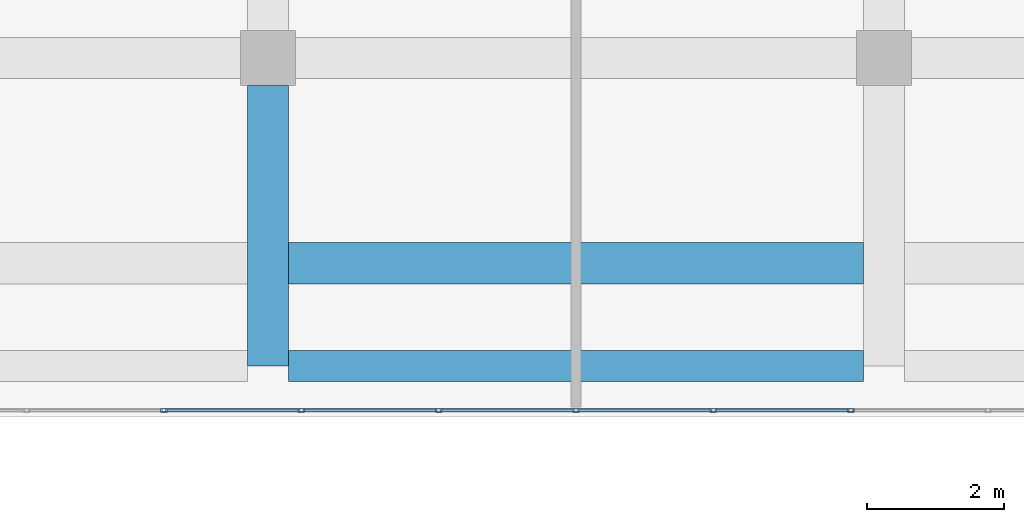
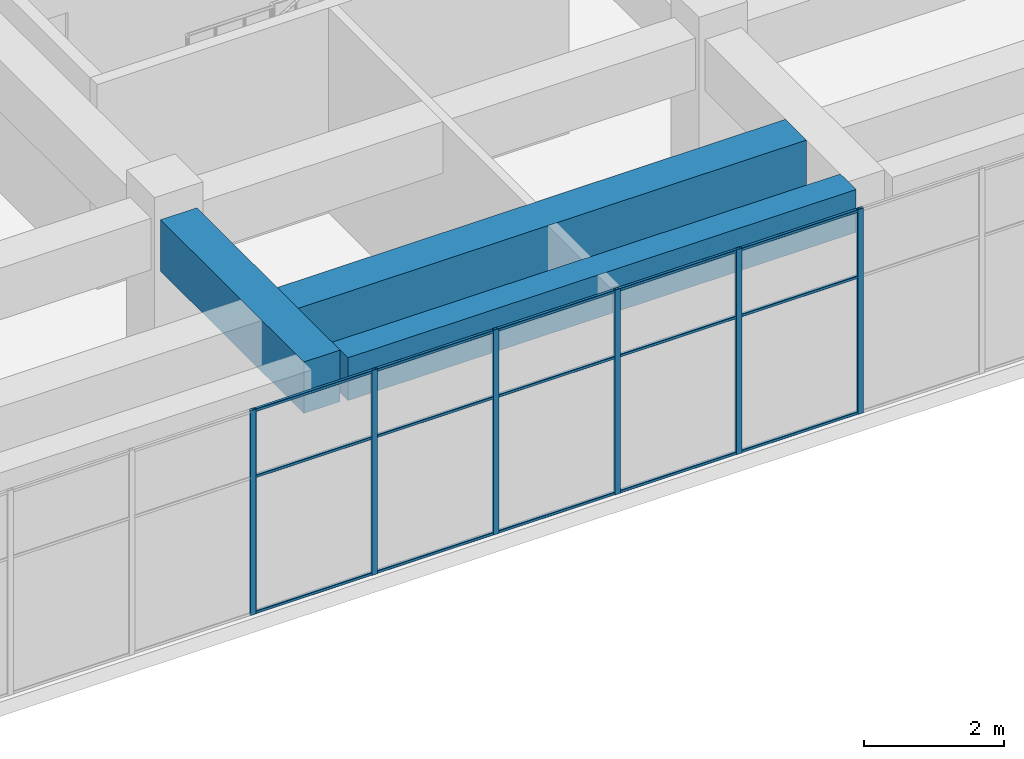
# One storey, part 27 of 72: 21 members, 3 beams, 1 element without a shape of its own.
"""IFC4 building model written with IfcOpenShell, lengths in metres."""

from ifc_helpers import new_model, si_unit, direction, frame, origin, origin_2d, place, context, subcontext, project, spatial, rectangle, hollow_rectangle, extrude, material, layer, layer_set, material_profile, profile_set, type_object, element, aggregate, save


model = new_model("IFC4")

# Units and contexts
model_context = context("Model", 3, precision=1e-05, world=origin(), true_north=direction((0.0, 1.0)))
body_context = subcontext(model_context, "Body", "Model", "MODEL_VIEW")
ifc_project = project(units=[si_unit("LENGTHUNIT", "METRE"), si_unit("AREAUNIT", "SQUARE_METRE"), si_unit("VOLUMEUNIT", "CUBIC_METRE"), si_unit("PLANEANGLEUNIT", "RADIAN"), si_unit("MASSUNIT", "GRAM", prefix="KILO")], contexts=[model_context])

# Site, building, storey
site_placement = place(None, origin())
site = spatial("IfcSite", under=ifc_project, at=site_placement, CompositionType="ELEMENT")
building_placement = place(site_placement, origin())
building = spatial("IfcBuilding", under=site, at=building_placement, Name="Tuart Plaza Theatre", CompositionType="ELEMENT")
storey_placement = place(building_placement, frame((0.0, 0.0, 13.5)))
storey = spatial("IfcBuildingStorey", under=building, at=storey_placement, Name="L03", CompositionType="ELEMENT", Elevation=13.5)

# Beams
ifc_material_1 = material(Name="Concrete N40 (40 MPa)", Category="concrete")
ifc_material_profile_1 = material_profile(ifc_material_1, rectangle(XDim=0.449951171875, YDim=0.75, at=origin_2d()), Name="BEAM 450x750 Concrete N40 (40 MPa)")
ifc_profile_set_1 = profile_set([ifc_material_profile_1], Name="Concrete N40 (40 MPa)")
beam_type_1 = type_object("IfcBeamType", Name="BEAM 450x750 Concrete N40 (40 MPa)", PredefinedType="BEAM", material=ifc_profile_set_1)
beam_1_placement = place(storey_placement, frame((132.300048828125, 51.5, 3.205078125), z_axis=(1.0, 0.0, 0.0), x_axis=(0.0, 1.0, 0.0)))
element("IfcBeam", 1, at=beam_1_placement, inside=storey, type_object=beam_type_1, Name="RB182", PredefinedType="BEAM", context=body_context, shape_type="SweptSolid", body=[
    extrude(rectangle(XDim=0.449951171875, YDim=0.75, at=origin_2d()), origin(), (0.0, 0.0, 1.0), 8.39990234375),
])
ifc_material_2 = material(Name="Concrete N40 (40 MPa)", Category="concrete")
ifc_material_profile_2 = material_profile(ifc_material_2, rectangle(XDim=0.60009765625, YDim=0.89990234375, at=origin_2d()), Name="BEAM 600x900 Concrete N40 (40 MPa)")
ifc_profile_set_2 = profile_set([ifc_material_profile_2], Name="Concrete N40 (40 MPa)")
beam_type_2 = type_object("IfcBeamType", Name="BEAM 600x900 Concrete N40 (40 MPa)", PredefinedType="BEAM", material=ifc_profile_set_2)
beam_2_placement = place(storey_placement, frame((132.0, 51.5, 3.1298828125), z_axis=(0.0, 1.0, 0.0), x_axis=(-1.0, 0.0, 0.0)))
element("IfcBeam", 2, at=beam_2_placement, inside=storey, type_object=beam_type_2, Name="RB181", PredefinedType="BEAM", context=body_context, shape_type="SweptSolid", body=[
    extrude(rectangle(XDim=0.60009765625, YDim=0.89990234375, at=origin_2d()), origin(), (0.0, 0.0, 1.0), 4.10009765625),
])
beam_3_placement = place(storey_placement, frame((132.300048828125, 53.0, 3.1298828125), z_axis=(1.0, 0.0, 0.0), x_axis=(0.0, 1.0, 0.0)))
element("IfcBeam", 3, at=beam_3_placement, inside=storey, type_object=beam_type_2, Name="RB203", PredefinedType="BEAM", context=body_context, shape_type="SweptSolid", body=[
    extrude(rectangle(XDim=0.60009765625, YDim=0.89990234375, at=origin_2d()), origin(), (0.0, 0.0, 1.0), 8.39990234375),
])

# Curtain wall, members
ifc_material_3 = material(Name="Aluminium and glass", Category="aluminium")
ifc_layer = layer(ifc_material_3, 0.10009765625)
ifc_layer_set = layer_set([ifc_layer], Name="CURTAIN WALL 2000 module")
curtain_wall_type = type_object("IfcCurtainWallType", Name="CURTAIN WALL 2000 module", PredefinedType="NOTDEFINED", material=ifc_layer_set)
curtain_wall_placement = place(storey_placement, origin())
curtain_wall = element("IfcCurtainWall", 4, at=curtain_wall_placement, inside=storey, type_object=curtain_wall_type, Name="CW68", PredefinedType="NOTDEFINED")
ifc_material_4 = material(Name="Aluminium 6063-T5", Category="aluminium")
ifc_material_profile_3 = material_profile(ifc_material_4, hollow_rectangle(XDim=0.050048828125, YDim=0.10009765625, WallThickness=0.00390625, InnerFilletRadius=0.00390625, OuterFilletRadius=0.008056640625, at=origin_2d()), Name="RHS 100x50x4")
ifc_profile_set_3 = profile_set([ifc_material_profile_3], Name="Aluminium 6063-T5")
member_type_1 = type_object("IfcMemberType", Name="MULLION RHS 100x50x4", PredefinedType="MULLION", material=ifc_profile_set_3)
member_1_placement = place(storey_placement, frame((130.478515625, 50.85009765625, 0.0), z_axis=(0.0, 0.0, 1.0), x_axis=(0.0, 1.0, 0.0)))
member_1 = element("IfcMember", 5, at=member_1_placement, type_object=member_type_1, Name="CW68 mullion 5", PredefinedType="MULLION", context=body_context, shape_type="SweptSolid", body=[
    extrude(hollow_rectangle(XDim=0.050048828125, YDim=0.10009765625, WallThickness=0.00390625, InnerFilletRadius=0.00390625, OuterFilletRadius=0.008056640625, at=origin_2d()), origin(), (0.0, 0.0, 1.0), 3.580078125),
])
member_2_placement = place(storey_placement, frame((132.485595703125, 50.85009765625, 0.0), z_axis=(0.0, 0.0, 1.0), x_axis=(0.0, 1.0, 0.0)))
member_2 = element("IfcMember", 6, at=member_2_placement, type_object=member_type_1, Name="CW68 mullion 6", PredefinedType="MULLION", context=body_context, shape_type="SweptSolid", body=[
    extrude(hollow_rectangle(XDim=0.050048828125, YDim=0.10009765625, WallThickness=0.00390625, InnerFilletRadius=0.00390625, OuterFilletRadius=0.008056640625, at=origin_2d()), origin(), (0.0, 0.0, 1.0), 3.580078125),
])
member_3_placement = place(storey_placement, frame((134.492919921875, 50.85009765625, 0.0), z_axis=(0.0, 0.0, 1.0), x_axis=(0.0, 1.0, 0.0)))
member_3 = element("IfcMember", 7, at=member_3_placement, type_object=member_type_1, Name="CW68 mullion 7", PredefinedType="MULLION", context=body_context, shape_type="SweptSolid", body=[
    extrude(hollow_rectangle(XDim=0.050048828125, YDim=0.10009765625, WallThickness=0.00390625, InnerFilletRadius=0.00390625, OuterFilletRadius=0.008056640625, at=origin_2d()), origin(), (0.0, 0.0, 1.0), 3.580078125),
])
member_4_placement = place(storey_placement, frame((136.5, 50.85009765625, 0.0), z_axis=(0.0, 0.0, 1.0), x_axis=(0.0, 1.0, 0.0)))
member_4 = element("IfcMember", 8, at=member_4_placement, type_object=member_type_1, Name="CW68 mullion 8", PredefinedType="MULLION", context=body_context, shape_type="SweptSolid", body=[
    extrude(hollow_rectangle(XDim=0.050048828125, YDim=0.10009765625, WallThickness=0.00390625, InnerFilletRadius=0.00390625, OuterFilletRadius=0.008056640625, at=origin_2d()), origin(), (0.0, 0.0, 1.0), 3.580078125),
])
member_5_placement = place(storey_placement, frame((138.507080078125, 50.85009765625, 0.0), z_axis=(0.0, 0.0, 1.0), x_axis=(0.0, 1.0, 0.0)))
member_5 = element("IfcMember", 9, at=member_5_placement, type_object=member_type_1, Name="CW68 mullion 9", PredefinedType="MULLION", context=body_context, shape_type="SweptSolid", body=[
    extrude(hollow_rectangle(XDim=0.050048828125, YDim=0.10009765625, WallThickness=0.00390625, InnerFilletRadius=0.00390625, OuterFilletRadius=0.008056640625, at=origin_2d()), origin(), (0.0, 0.0, 1.0), 3.580078125),
])
member_6_placement = place(storey_placement, frame((140.514404296875, 50.85009765625, 0.0), z_axis=(0.0, 0.0, 1.0), x_axis=(0.0, 1.0, 0.0)))
member_6 = element("IfcMember", 10, at=member_6_placement, type_object=member_type_1, Name="CW68 mullion 10", PredefinedType="MULLION", context=body_context, shape_type="SweptSolid", body=[
    extrude(hollow_rectangle(XDim=0.050048828125, YDim=0.10009765625, WallThickness=0.00390625, InnerFilletRadius=0.00390625, OuterFilletRadius=0.008056640625, at=origin_2d()), origin(), (0.0, 0.0, 1.0), 3.580078125),
])
ifc_material_5 = material(Name="Aluminium 6063-T5", Category="aluminium")
ifc_material_profile_4 = material_profile(ifc_material_5, hollow_rectangle(XDim=0.050048828125, YDim=0.050048828125, WallThickness=0.00390625, InnerFilletRadius=0.00390625, OuterFilletRadius=0.008056640625, at=origin_2d()), Name="RHS 50x50x4")
ifc_profile_set_4 = profile_set([ifc_material_profile_4], Name="Aluminium 6063-T5")
member_type_2 = type_object("IfcMemberType", Name="TRANSOM RHS 50x50x4", PredefinedType="USERDEFINED", material=ifc_profile_set_4)
member_7_placement = place(storey_placement, frame((130.503662109375, 50.85009765625, 0.02490234375), z_axis=(1.0, 0.0, 0.0), x_axis=(0.0, 1.0, 0.0)))
member_7 = element("IfcMember", 11, at=member_7_placement, type_object=member_type_2, Name="CW68 transom 5.1", ObjectType="TRANSOM", PredefinedType="USERDEFINED", context=body_context, shape_type="SweptSolid", body=[
    extrude(hollow_rectangle(XDim=0.050048828125, YDim=0.050048828125, WallThickness=0.00390625, InnerFilletRadius=0.00390625, OuterFilletRadius=0.008056640625, at=origin_2d()), origin(), (0.0, 0.0, 1.0), 1.95703125),
])
member_8_placement = place(storey_placement, frame((130.503662109375, 50.85009765625, 2.39990234375), z_axis=(1.0, 0.0, 0.0), x_axis=(0.0, 1.0, 0.0)))
member_8 = element("IfcMember", 12, at=member_8_placement, type_object=member_type_2, Name="CW68 transom 5.2", ObjectType="TRANSOM", PredefinedType="USERDEFINED", context=body_context, shape_type="SweptSolid", body=[
    extrude(hollow_rectangle(XDim=0.050048828125, YDim=0.050048828125, WallThickness=0.00390625, InnerFilletRadius=0.00390625, OuterFilletRadius=0.008056640625, at=origin_2d()), origin(), (0.0, 0.0, 1.0), 1.95703125),
])
member_9_placement = place(storey_placement, frame((130.503662109375, 50.85009765625, 3.554931640625), z_axis=(1.0, 0.0, 0.0), x_axis=(0.0, 1.0, 0.0)))
member_9 = element("IfcMember", 13, at=member_9_placement, type_object=member_type_2, Name="CW68 transom 5.3", ObjectType="TRANSOM", PredefinedType="USERDEFINED", context=body_context, shape_type="SweptSolid", body=[
    extrude(hollow_rectangle(XDim=0.050048828125, YDim=0.050048828125, WallThickness=0.00390625, InnerFilletRadius=0.00390625, OuterFilletRadius=0.008056640625, at=origin_2d()), origin(), (0.0, 0.0, 1.0), 1.95703125),
])
member_10_placement = place(storey_placement, frame((132.5107421875, 50.85009765625, 0.02490234375), z_axis=(1.0, 0.0, 0.0), x_axis=(0.0, 1.0, 0.0)))
member_10 = element("IfcMember", 14, at=member_10_placement, type_object=member_type_2, Name="CW68 transom 6.1", ObjectType="TRANSOM", PredefinedType="USERDEFINED", context=body_context, shape_type="SweptSolid", body=[
    extrude(hollow_rectangle(XDim=0.050048828125, YDim=0.050048828125, WallThickness=0.00390625, InnerFilletRadius=0.00390625, OuterFilletRadius=0.008056640625, at=origin_2d()), origin(), (0.0, 0.0, 1.0), 1.95703125),
])
member_11_placement = place(storey_placement, frame((132.5107421875, 50.85009765625, 2.39990234375), z_axis=(1.0, 0.0, 0.0), x_axis=(0.0, 1.0, 0.0)))
member_11 = element("IfcMember", 15, at=member_11_placement, type_object=member_type_2, Name="CW68 transom 6.2", ObjectType="TRANSOM", PredefinedType="USERDEFINED", context=body_context, shape_type="SweptSolid", body=[
    extrude(hollow_rectangle(XDim=0.050048828125, YDim=0.050048828125, WallThickness=0.00390625, InnerFilletRadius=0.00390625, OuterFilletRadius=0.008056640625, at=origin_2d()), origin(), (0.0, 0.0, 1.0), 1.95703125),
])
member_12_placement = place(storey_placement, frame((132.5107421875, 50.85009765625, 3.554931640625), z_axis=(1.0, 0.0, 0.0), x_axis=(0.0, 1.0, 0.0)))
member_12 = element("IfcMember", 16, at=member_12_placement, type_object=member_type_2, Name="CW68 transom 6.3", ObjectType="TRANSOM", PredefinedType="USERDEFINED", context=body_context, shape_type="SweptSolid", body=[
    extrude(hollow_rectangle(XDim=0.050048828125, YDim=0.050048828125, WallThickness=0.00390625, InnerFilletRadius=0.00390625, OuterFilletRadius=0.008056640625, at=origin_2d()), origin(), (0.0, 0.0, 1.0), 1.95703125),
])
member_13_placement = place(storey_placement, frame((134.517822265625, 50.85009765625, 0.02490234375), z_axis=(1.0, 0.0, 0.0), x_axis=(0.0, 1.0, 0.0)))
member_13 = element("IfcMember", 17, at=member_13_placement, type_object=member_type_2, Name="CW68 transom 7.1", ObjectType="TRANSOM", PredefinedType="USERDEFINED", context=body_context, shape_type="SweptSolid", body=[
    extrude(hollow_rectangle(XDim=0.050048828125, YDim=0.050048828125, WallThickness=0.00390625, InnerFilletRadius=0.00390625, OuterFilletRadius=0.008056640625, at=origin_2d()), origin(), (0.0, 0.0, 1.0), 1.957275390625),
])
member_14_placement = place(storey_placement, frame((134.517822265625, 50.85009765625, 2.39990234375), z_axis=(1.0, 0.0, 0.0), x_axis=(0.0, 1.0, 0.0)))
member_14 = element("IfcMember", 18, at=member_14_placement, type_object=member_type_2, Name="CW68 transom 7.2", ObjectType="TRANSOM", PredefinedType="USERDEFINED", context=body_context, shape_type="SweptSolid", body=[
    extrude(hollow_rectangle(XDim=0.050048828125, YDim=0.050048828125, WallThickness=0.00390625, InnerFilletRadius=0.00390625, OuterFilletRadius=0.008056640625, at=origin_2d()), origin(), (0.0, 0.0, 1.0), 1.957275390625),
])
member_15_placement = place(storey_placement, frame((134.517822265625, 50.85009765625, 3.554931640625), z_axis=(1.0, 0.0, 0.0), x_axis=(0.0, 1.0, 0.0)))
member_15 = element("IfcMember", 19, at=member_15_placement, type_object=member_type_2, Name="CW68 transom 7.3", ObjectType="TRANSOM", PredefinedType="USERDEFINED", context=body_context, shape_type="SweptSolid", body=[
    extrude(hollow_rectangle(XDim=0.050048828125, YDim=0.050048828125, WallThickness=0.00390625, InnerFilletRadius=0.00390625, OuterFilletRadius=0.008056640625, at=origin_2d()), origin(), (0.0, 0.0, 1.0), 1.957275390625),
])
member_16_placement = place(storey_placement, frame((136.52490234375, 50.85009765625, 0.02490234375), z_axis=(1.0, 0.0, 0.0), x_axis=(0.0, 1.0, 0.0)))
member_16 = element("IfcMember", 20, at=member_16_placement, type_object=member_type_2, Name="CW68 transom 8.1", ObjectType="TRANSOM", PredefinedType="USERDEFINED", context=body_context, shape_type="SweptSolid", body=[
    extrude(hollow_rectangle(XDim=0.050048828125, YDim=0.050048828125, WallThickness=0.00390625, InnerFilletRadius=0.00390625, OuterFilletRadius=0.008056640625, at=origin_2d()), origin(), (0.0, 0.0, 1.0), 1.957275390625),
])
member_17_placement = place(storey_placement, frame((136.52490234375, 50.85009765625, 2.39990234375), z_axis=(1.0, 0.0, 0.0), x_axis=(0.0, 1.0, 0.0)))
member_17 = element("IfcMember", 21, at=member_17_placement, type_object=member_type_2, Name="CW68 transom 8.2", ObjectType="TRANSOM", PredefinedType="USERDEFINED", context=body_context, shape_type="SweptSolid", body=[
    extrude(hollow_rectangle(XDim=0.050048828125, YDim=0.050048828125, WallThickness=0.00390625, InnerFilletRadius=0.00390625, OuterFilletRadius=0.008056640625, at=origin_2d()), origin(), (0.0, 0.0, 1.0), 1.957275390625),
])
member_18_placement = place(storey_placement, frame((136.52490234375, 50.85009765625, 3.554931640625), z_axis=(1.0, 0.0, 0.0), x_axis=(0.0, 1.0, 0.0)))
member_18 = element("IfcMember", 22, at=member_18_placement, type_object=member_type_2, Name="CW68 transom 8.3", ObjectType="TRANSOM", PredefinedType="USERDEFINED", context=body_context, shape_type="SweptSolid", body=[
    extrude(hollow_rectangle(XDim=0.050048828125, YDim=0.050048828125, WallThickness=0.00390625, InnerFilletRadius=0.00390625, OuterFilletRadius=0.008056640625, at=origin_2d()), origin(), (0.0, 0.0, 1.0), 1.957275390625),
])
member_19_placement = place(storey_placement, frame((138.5322265625, 50.85009765625, 0.02490234375), z_axis=(1.0, 0.0, 0.0), x_axis=(0.0, 1.0, 0.0)))
member_19 = element("IfcMember", 23, at=member_19_placement, type_object=member_type_2, Name="CW68 transom 9.1", ObjectType="TRANSOM", PredefinedType="USERDEFINED", context=body_context, shape_type="SweptSolid", body=[
    extrude(hollow_rectangle(XDim=0.050048828125, YDim=0.050048828125, WallThickness=0.00390625, InnerFilletRadius=0.00390625, OuterFilletRadius=0.008056640625, at=origin_2d()), origin(), (0.0, 0.0, 1.0), 1.95703125),
])
member_20_placement = place(storey_placement, frame((138.5322265625, 50.85009765625, 2.39990234375), z_axis=(1.0, 0.0, 0.0), x_axis=(0.0, 1.0, 0.0)))
member_20 = element("IfcMember", 24, at=member_20_placement, type_object=member_type_2, Name="CW68 transom 9.2", ObjectType="TRANSOM", PredefinedType="USERDEFINED", context=body_context, shape_type="SweptSolid", body=[
    extrude(hollow_rectangle(XDim=0.050048828125, YDim=0.050048828125, WallThickness=0.00390625, InnerFilletRadius=0.00390625, OuterFilletRadius=0.008056640625, at=origin_2d()), origin(), (0.0, 0.0, 1.0), 1.95703125),
])
member_21_placement = place(storey_placement, frame((138.5322265625, 50.85009765625, 3.554931640625), z_axis=(1.0, 0.0, 0.0), x_axis=(0.0, 1.0, 0.0)))
member_21 = element("IfcMember", 25, at=member_21_placement, type_object=member_type_2, Name="CW68 transom 9.3", ObjectType="TRANSOM", PredefinedType="USERDEFINED", context=body_context, shape_type="SweptSolid", body=[
    extrude(hollow_rectangle(XDim=0.050048828125, YDim=0.050048828125, WallThickness=0.00390625, InnerFilletRadius=0.00390625, OuterFilletRadius=0.008056640625, at=origin_2d()), origin(), (0.0, 0.0, 1.0), 1.95703125),
])
aggregate(curtain_wall, [member_1, member_2, member_3, member_4, member_5, member_6, member_7, member_8, member_9, member_10, member_11, member_12, member_13, member_14, member_15, member_16, member_17, member_18, member_19, member_20, member_21])

save(model, "model.ifc")
